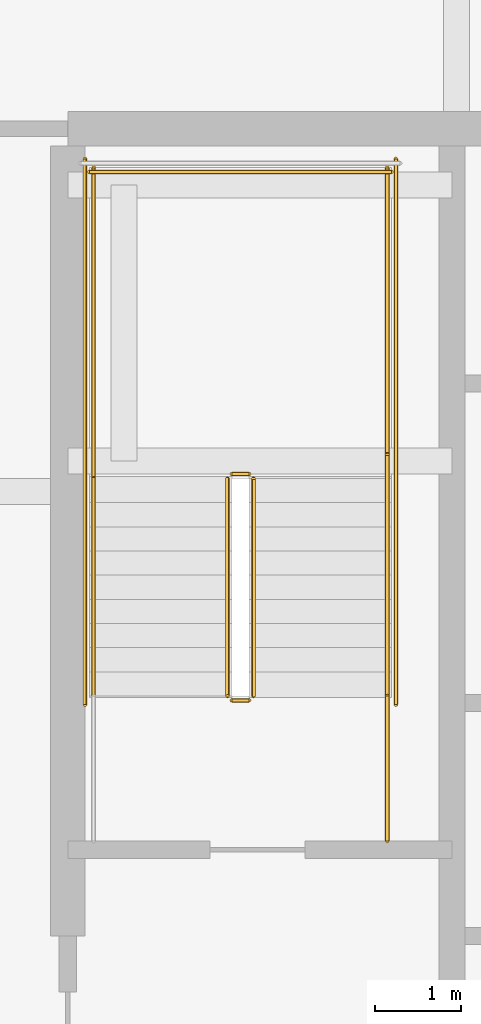
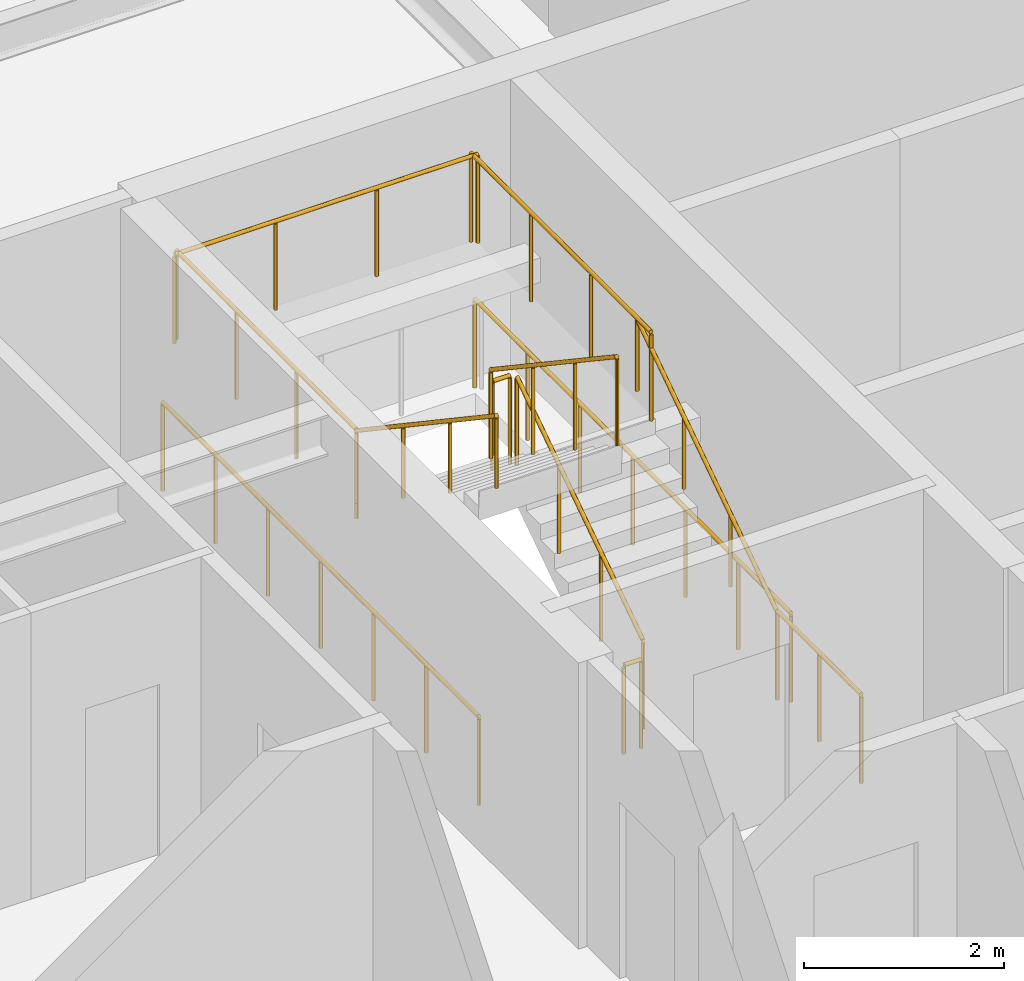
# One storey, part 31 of 34: 12 railings.
"""IFC4 building model written with IfcOpenShell, lengths in metres."""

from ifc_helpers import new_model, si_unit, direction, frame, origin, origin_2d, place, context, subcontext, project, spatial, circle, extrude, material, type_object, element, save


model = new_model("IFC4")

# Units and contexts
model_context = context("Model", 3, precision=1e-05, world=origin(), true_north=direction((0.0, 1.0)))
body_context = subcontext(model_context, "Body", "Model", "MODEL_VIEW")
ifc_project = project(units=[si_unit("LENGTHUNIT", "METRE"), si_unit("AREAUNIT", "SQUARE_METRE"), si_unit("VOLUMEUNIT", "CUBIC_METRE"), si_unit("PLANEANGLEUNIT", "RADIAN"), si_unit("MASSUNIT", "GRAM", prefix="KILO")], contexts=[model_context])

# Site, building, storey
site_placement = place(None, origin())
site = spatial("IfcSite", under=ifc_project, at=site_placement, CompositionType="ELEMENT")
building_placement = place(site_placement, origin())
building = spatial("IfcBuilding", under=site, at=building_placement, Name="Serunith Strait Residences", CompositionType="ELEMENT")
storey_placement = place(building_placement, frame((0.0, 0.0, 180.14990234375)))
storey = spatial("IfcBuildingStorey", under=building, at=storey_placement, Name="L45", CompositionType="ELEMENT", Elevation=180.14990234375)

# Railings
ifc_material = material(Name="Brushed stainless steel 316L", Category="steel")
railing_type_1 = type_object("IfcRailingType", Name="RLG-STAIR-GUARD", PredefinedType="BALUSTRADE", material=ifc_material)
railing_1_placement = place(storey_placement, frame((25.550048828125, 27.030029296875, 0.1875)))
element("IfcRailing", 1, at=railing_1_placement, inside=storey, type_object=railing_type_1, Name="L45 ST-1 stair guard 1", PredefinedType="BALUSTRADE", context=body_context, shape_type="SweptSolid", body=[
    extrude(circle(Radius=0.02392578125, at=origin_2d()), frame((0.0, 0.001708984375, 1.0771484375), z_axis=(0.0, 0.830909170722, 0.55640807867), x_axis=(-1.0, 0.0, 0.0)), (0.0, 0.0, 1.0), 3.02880859375),
    extrude(circle(Radius=0.02099609375, at=origin_2d()), origin(), (0.0, 0.0, 1.0), 1.050048828125),
    extrude(circle(Radius=0.02099609375, at=origin_2d()), frame((0.0, 0.840087890625, 0.5625)), (0.0, 0.0, 1.0), 1.050048828125),
    extrude(circle(Radius=0.02099609375, at=origin_2d()), frame((0.0, 1.679931640625, 1.125)), (0.0, 0.0, 1.0), 1.050048828125),
    extrude(circle(Radius=0.02099609375, at=origin_2d()), frame((0.0, 2.52001953125, 1.6875)), (0.0, 0.0, 1.0), 1.050048828125),
])
railing_2_placement = place(storey_placement, frame((25.5, 29.60009765625, 1.875)))
element("IfcRailing", 2, at=railing_2_placement, inside=storey, type_object=railing_type_1, Name="L45 ST-1 stair guard 2", PredefinedType="BALUSTRADE", context=body_context, shape_type="SweptSolid", body=[
    extrude(circle(Radius=0.02392578125, at=origin_2d()), frame((-0.001953125, 0.0, 1.076171875), z_axis=(-1.0, 0.0, 0.0), x_axis=(0.0, -1.0, 0.0)), (0.0, 0.0, 1.0), 0.196044921875),
    extrude(circle(Radius=0.02099609375, at=origin_2d()), origin(), (0.0, 0.0, 1.0), 1.050048828125),
    extrude(circle(Radius=0.02099609375, at=origin_2d()), frame((-0.199951171875, 0.0, 0.0)), (0.0, 0.0, 1.0), 1.050048828125),
])
for number, where, name in (
    (3, (27.10009765625, 29.550048828125, 1.875), "L45 ST-1 stair guard 3"),
    (4, (23.699951171875, 29.550048828125, 1.875), "L45 ST-1 stair guard 4"),
):
    element("IfcRailing", number, at=place(storey_placement, frame(where)), inside=storey, type_object=railing_type_1, Name=name, PredefinedType="BALUSTRADE", context=body_context, shape_type="SweptSolid", body=[
        extrude(circle(Radius=0.02392578125, at=origin_2d()), frame((0.0, 0.001953125, 1.076171875), z_axis=(0.0, 1.0, 0.0), x_axis=(-1.0, 0.0, 0.0)), (0.0, 0.0, 1.0), 3.595947265625),
        extrude(circle(Radius=0.02099609375, at=origin_2d()), origin(), (0.0, 0.0, 1.0), 1.050048828125),
        extrude(circle(Radius=0.02099609375, at=origin_2d()), frame((0.0, 1.199951171875, 0.0)), (0.0, 0.0, 1.0), 1.050048828125),
        extrude(circle(Radius=0.02099609375, at=origin_2d()), frame((0.0, 2.39990234375, 0.0)), (0.0, 0.0, 1.0), 1.050048828125),
        extrude(circle(Radius=0.02099609375, at=origin_2d()), frame((0.0, 3.599853515625, 0.0)), (0.0, 0.0, 1.0), 1.050048828125),
    ])
railing_3_placement = place(storey_placement, frame((27.14990234375, 33.10009765625, 1.875)))
element("IfcRailing", 5, at=railing_3_placement, inside=storey, type_object=railing_type_1, Name="L45 ST-1 stair guard 5", PredefinedType="BALUSTRADE", context=body_context, shape_type="SweptSolid", body=[
    extrude(circle(Radius=0.02392578125, at=origin_2d()), frame((-0.001953125, 0.0, 1.076171875), z_axis=(-1.0, 0.0, 0.0), x_axis=(0.0, -1.0, 0.0)), (0.0, 0.0, 1.0), 3.49609375),
    extrude(circle(Radius=0.02099609375, at=origin_2d()), origin(), (0.0, 0.0, 1.0), 1.050048828125),
    extrude(circle(Radius=0.02099609375, at=origin_2d()), frame((-1.166748046875, 0.0, 0.0)), (0.0, 0.0, 1.0), 1.050048828125),
    extrude(circle(Radius=0.02099609375, at=origin_2d()), frame((-2.333251953125, 0.0, 0.0)), (0.0, 0.0, 1.0), 1.050048828125),
    extrude(circle(Radius=0.02099609375, at=origin_2d()), frame((-3.5, 0.0, 0.0)), (0.0, 0.0, 1.0), 1.050048828125),
])
railing_4_placement = place(storey_placement, frame((25.25, 29.550048828125, 2.0625)))
element("IfcRailing", 6, at=railing_4_placement, inside=storey, type_object=railing_type_1, Name="L45 ST-1 stair guard 6", PredefinedType="BALUSTRADE", context=body_context, shape_type="SweptSolid", body=[
    extrude(circle(Radius=0.02392578125, at=origin_2d()), frame((0.0, -0.001708984375, 1.0771484375), z_axis=(0.0, -0.830909170722, 0.55640807867), x_axis=(1.0, 0.0, 0.0)), (0.0, 0.0, 1.0), 3.02880859375),
    extrude(circle(Radius=0.02099609375, at=origin_2d()), origin(), (0.0, 0.0, 1.0), 1.050048828125),
    extrude(circle(Radius=0.02099609375, at=origin_2d()), frame((0.0, -0.840087890625, 0.5625)), (0.0, 0.0, 1.0), 1.050048828125),
    extrude(circle(Radius=0.02099609375, at=origin_2d()), frame((0.0, -1.679931640625, 1.125)), (0.0, 0.0, 1.0), 1.050048828125),
    extrude(circle(Radius=0.02099609375, at=origin_2d()), frame((0.0, -2.52001953125, 1.6875)), (0.0, 0.0, 1.0), 1.050048828125),
])
railing_5_placement = place(storey_placement, frame((25.5, 26.97998046875, 0.0)))
element("IfcRailing", 7, at=railing_5_placement, inside=storey, type_object=railing_type_1, Name="L45 ST-1 stair guard 7", PredefinedType="BALUSTRADE", context=body_context, shape_type="SweptSolid", body=[
    extrude(circle(Radius=0.02392578125, at=origin_2d()), frame((-0.001953125, 0.0, 1.076171875), z_axis=(-1.0, 0.0, 0.0), x_axis=(0.0, -1.0, 0.0)), (0.0, 0.0, 1.0), 0.196044921875),
    extrude(circle(Radius=0.02099609375, at=origin_2d()), origin(), (0.0, 0.0, 1.0), 1.050048828125),
    extrude(circle(Radius=0.02099609375, at=origin_2d()), frame((-0.199951171875, 0.0, 0.0)), (0.0, 0.0, 1.0), 1.050048828125),
])
railing_6_placement = place(storey_placement, frame((27.10009765625, 25.35009765625, 0.0)))
element("IfcRailing", 8, at=railing_6_placement, inside=storey, type_object=railing_type_1, Name="L45 ST-1 stair guard 8", PredefinedType="BALUSTRADE", context=body_context, shape_type="SweptSolid", body=[
    extrude(circle(Radius=0.02392578125, at=origin_2d()), frame((0.0, 0.001953125, 1.076171875), z_axis=(0.0, 1.0, 0.0), x_axis=(-1.0, 0.0, 0.0)), (0.0, 0.0, 1.0), 1.676025390625),
    extrude(circle(Radius=0.02099609375, at=origin_2d()), origin(), (0.0, 0.0, 1.0), 1.050048828125),
    extrude(circle(Radius=0.02099609375, at=origin_2d()), frame((0.0, 0.83984375, 0.0)), (0.0, 0.0, 1.0), 1.050048828125),
    extrude(circle(Radius=0.02099609375, at=origin_2d()), frame((0.0, 1.679931640625, 0.0)), (0.0, 0.0, 1.0), 1.050048828125),
])
for number, where, name in (
    (9, (27.199951171875, 26.929931640625, 0.0), "L45 ST-1 stair guard 10"),
    (10, (23.60009765625, 26.929931640625, 0.0), "L45 ST-1 stair guard 11"),
):
    element("IfcRailing", number, at=place(storey_placement, frame(where)), inside=storey, type_object=railing_type_1, Name=name, PredefinedType="BALUSTRADE", context=body_context, shape_type="SweptSolid", body=[
        extrude(circle(Radius=0.02392578125, at=origin_2d()), frame((0.0, 0.001953125, 1.076171875), z_axis=(0.0, 1.0, 0.0), x_axis=(-1.0, 0.0, 0.0)), (0.0, 0.0, 1.0), 6.316162109375),
        extrude(circle(Radius=0.02099609375, at=origin_2d()), origin(), (0.0, 0.0, 1.0), 1.050048828125),
        extrude(circle(Radius=0.02099609375, at=origin_2d()), frame((0.0, 1.05322265625, 0.0)), (0.0, 0.0, 1.0), 1.050048828125),
        extrude(circle(Radius=0.02099609375, at=origin_2d()), frame((0.0, 2.106689453125, 0.0)), (0.0, 0.0, 1.0), 1.050048828125),
        extrude(circle(Radius=0.02099609375, at=origin_2d()), frame((0.0, 3.16015625, 0.0)), (0.0, 0.0, 1.0), 1.050048828125),
        extrude(circle(Radius=0.02099609375, at=origin_2d()), frame((0.0, 4.21337890625, 0.0)), (0.0, 0.0, 1.0), 1.050048828125),
        extrude(circle(Radius=0.02099609375, at=origin_2d()), frame((0.0, 5.2666015625, 0.0)), (0.0, 0.0, 1.0), 1.050048828125),
        extrude(circle(Radius=0.02099609375, at=origin_2d()), frame((0.0, 6.320068359375, 0.0)), (0.0, 0.0, 1.0), 1.050048828125),
    ])
railing_type_2 = type_object("IfcRailingType", Name="RLG-STAIR-HR", PredefinedType="HANDRAIL", material=ifc_material)
railing_7_placement = place(storey_placement, frame((27.10009765625, 27.030029296875, 0.1875)))
element("IfcRailing", 11, at=railing_7_placement, inside=storey, type_object=railing_type_2, Name="L45 ST-1 stair handrail 1", PredefinedType="HANDRAIL", context=body_context, shape_type="SweptSolid", body=[
    extrude(circle(Radius=0.02392578125, at=origin_2d()), frame((0.0, 0.001708984375, 0.876953125), z_axis=(0.0, 0.830208209119, 0.557453432594), x_axis=(-1.0, 0.0, 0.0)), (0.0, 0.0, 1.0), 3.36865234375),
    extrude(circle(Radius=0.02099609375, at=origin_2d()), origin(), (0.0, 0.0, 1.0), 0.849853515625),
    extrude(circle(Radius=0.02099609375, at=origin_2d()), frame((0.0, 0.933349609375, 0.626708984375)), (0.0, 0.0, 1.0), 0.849853515625),
    extrude(circle(Radius=0.02099609375, at=origin_2d()), frame((0.0, 1.86669921875, 1.25341796875)), (0.0, 0.0, 1.0), 0.849853515625),
    extrude(circle(Radius=0.02099609375, at=origin_2d()), frame((0.0, 2.800048828125, 1.880126953125)), (0.0, 0.0, 1.0), 0.849853515625),
])
railing_8_placement = place(storey_placement, frame((23.699951171875, 29.550048828125, 2.0625)))
element("IfcRailing", 12, at=railing_8_placement, inside=storey, type_object=railing_type_2, Name="L45 ST-1 stair handrail 2", PredefinedType="HANDRAIL", context=body_context, shape_type="SweptSolid", body=[
    extrude(circle(Radius=0.02392578125, at=origin_2d()), frame((0.0, -0.001708984375, 0.876953125), z_axis=(0.0, -0.830208209119, 0.557453432594), x_axis=(1.0, 0.0, 0.0)), (0.0, 0.0, 1.0), 3.36865234375),
    extrude(circle(Radius=0.02099609375, at=origin_2d()), origin(), (0.0, 0.0, 1.0), 0.849853515625),
    extrude(circle(Radius=0.02099609375, at=origin_2d()), frame((0.0, -0.933349609375, 0.626708984375)), (0.0, 0.0, 1.0), 0.849853515625),
    extrude(circle(Radius=0.02099609375, at=origin_2d()), frame((0.0, -1.86669921875, 1.25341796875)), (0.0, 0.0, 1.0), 0.849853515625),
    extrude(circle(Radius=0.02099609375, at=origin_2d()), frame((0.0, -2.800048828125, 1.880126953125)), (0.0, 0.0, 1.0), 0.849853515625),
])

save(model, "model.ifc")
